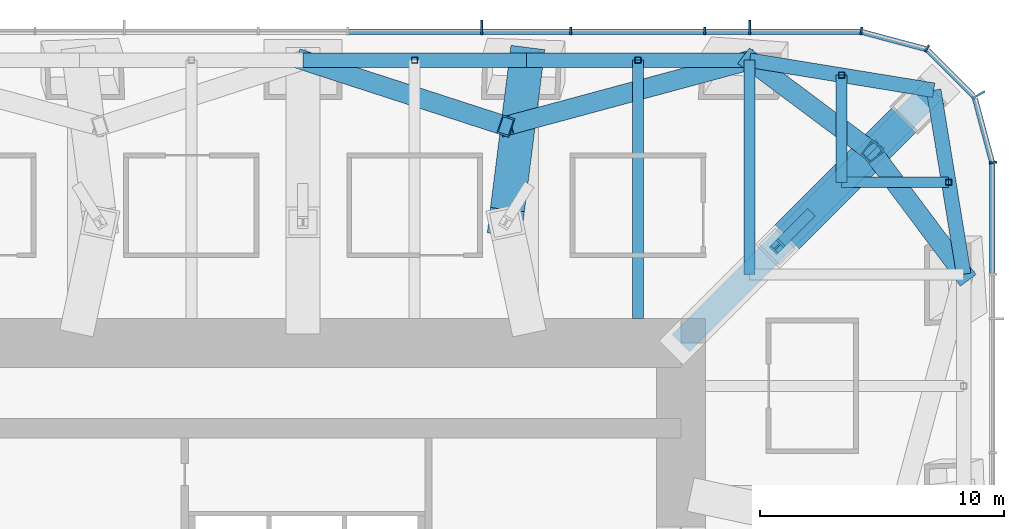
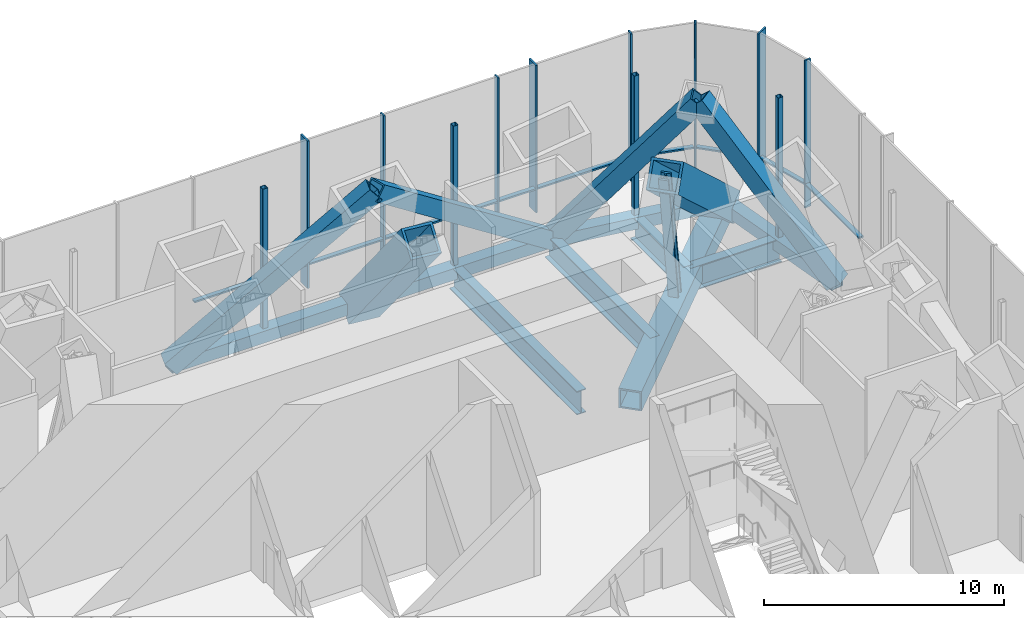
# One storey, part 9 of 16: 33 members, 4 beams, 3 elements without a shape of their own.
"""IFC4 building model written with IfcOpenShell, lengths in metres."""

from ifc_helpers import new_model, si_unit, direction, frame, origin, origin_2d, place, context, subcontext, project, spatial, rectangle, hollow_rectangle, i_section, extrude, material, material_profile, profile_set, type_object, element, aggregate, save


model = new_model("IFC4")

# Units and contexts
model_context = context("Model", 3, precision=1e-05, world=origin(), true_north=direction((0.0, 1.0)))
body_context = subcontext(model_context, "Body", "Model", "MODEL_VIEW")
ifc_project = project(units=[si_unit("LENGTHUNIT", "METRE"), si_unit("AREAUNIT", "SQUARE_METRE"), si_unit("VOLUMEUNIT", "CUBIC_METRE"), si_unit("PLANEANGLEUNIT", "RADIAN"), si_unit("MASSUNIT", "GRAM", prefix="KILO")], contexts=[model_context])

# Site, building, storey
site_placement = place(None, origin())
site = spatial("IfcSite", under=ifc_project, at=site_placement, CompositionType="ELEMENT")
building_placement = place(site_placement, origin())
building = spatial("IfcBuilding", under=site, at=building_placement, Name="Khuree Lantern Residences", CompositionType="ELEMENT")
storey_placement = place(building_placement, frame((0.0, 0.0, 192.0)))
storey = spatial("IfcBuildingStorey", under=building, at=storey_placement, Name="L48", CompositionType="ELEMENT", Elevation=192.0)

# Beams
ifc_material_1 = material(Name="Steel S355", Category="steel")
ifc_material_profile_1 = material_profile(ifc_material_1, i_section(OverallWidth=0.449951171875, OverallDepth=1.199951171875, WebThickness=0.02490234375, FlangeThickness=0.044921875, at=origin_2d()), Name="WELDED I 1200X450X25X45")
ifc_profile_set_1 = profile_set([ifc_material_profile_1], Name="Steel S355")
beam_type_1 = type_object("IfcBeamType", Name="B-48 SECONDARY BEAM WELDED I 1200X450X25X45", PredefinedType="BEAM", material=ifc_profile_set_1)
beam_1_placement = place(storey_placement, frame((13.739990234375, 27.10009765625, -0.949951171875), z_axis=(0.0, -1.0, 0.0), x_axis=(1.0, 0.0, 0.0)))
element("IfcBeam", 1, at=beam_1_placement, inside=storey, type_object=beam_type_1, Name="Secondary beam N4", PredefinedType="BEAM", context=body_context, shape_type="SweptSolid", body=[
    extrude(i_section(OverallWidth=0.449951171875, OverallDepth=1.199951171875, WebThickness=0.02490234375, FlangeThickness=0.044921875, at=origin_2d()), origin(), (0.0, 0.0, 1.0), 10.60009765625),
])
for number, where, z_axis, x_axis, name in (
    (2, (22.094970703125, 26.48486328125, -0.949951171875), (0.0, -1.0, 0.0), (1.0, 0.0, 0.0), "Secondary beam N5"),
    (3, (26.48486328125, 22.094970703125, -0.949951171875), (-1.0, 0.0, 0.0), (0.0, -1.0, 0.0), "Secondary beam E1"),
):
    element("IfcBeam", number, at=place(storey_placement, frame(where, z_axis=z_axis, x_axis=x_axis)), inside=storey, type_object=beam_type_1, Name=name, PredefinedType="BEAM", context=body_context, shape_type="SweptSolid", body=[
        extrude(i_section(OverallWidth=0.449951171875, OverallDepth=1.199951171875, WebThickness=0.02490234375, FlangeThickness=0.044921875, at=origin_2d()), origin(), (0.0, 0.0, 1.0), 4.389892578125),
    ])

# Members
ifc_material_profile_2 = material_profile(ifc_material_1, hollow_rectangle(XDim=0.800048828125, YDim=0.800048828125, WallThickness=0.070068359375, at=origin_2d()), Name="WELDED BOX 800X800X70")
ifc_profile_set_2 = profile_set([ifc_material_profile_2], Name="Steel S355")
member_type_1 = type_object("IfcMemberType", Name="BD-48 BELT TRUSS DIAGONAL WELDED BOX 800X800X70", PredefinedType="BRACE", material=ifc_profile_set_2)
member_1_placement = place(storey_placement, frame((0.0, 27.10009765625, -0.64990234375), z_axis=(0.718015094379, -0.233024646962, 0.655861142432), x_axis=(0.308690344156, 0.951162589374, 0.0)))
element("IfcMember", 4, at=member_1_placement, inside=storey, type_object=member_type_1, Name="Belt truss diagonal N3", PredefinedType="BRACE", context=body_context, shape_type="SweptSolid", body=[
    extrude(hollow_rectangle(XDim=0.800048828125, YDim=0.800048828125, WallThickness=0.070068359375, at=origin_2d()), origin(), (0.0, 0.0, 1.0), 11.587646484375),
])
member_2_placement = place(storey_placement, frame((8.320068359375, 24.39990234375, 6.949951171875), z_axis=(0.778383779751, 0.210178823341, -0.591560270505), x_axis=(-0.260683426993, 0.965424337217, 0.0)))
element("IfcMember", 5, at=member_2_placement, inside=storey, type_object=member_type_1, Name="Belt truss diagonal N4", PredefinedType="BRACE", context=body_context, shape_type="SweptSolid", body=[
    extrude(hollow_rectangle(XDim=0.800048828125, YDim=0.800048828125, WallThickness=0.070068359375, at=origin_2d()), origin(), (0.0, 0.0, 1.0), 12.84716796875),
])
for number, where, z_axis, x_axis, name in (
    (6, (18.320068359375, 27.10009765625, -0.64990234375), (0.509986139158, -0.380984544473, 0.771210032832), (0.598485782825, 0.801133426938, 0.0), "Belt truss diagonal N5"),
    (7, (23.345703125, 23.345703125, 6.949951171875), (0.380984544473, -0.509986139158, -0.771210032832), (0.801133426938, 0.598485782825, 0.0), "Belt truss diagonal E1"),
):
    element("IfcMember", number, at=place(storey_placement, frame(where, z_axis=z_axis, x_axis=x_axis)), inside=storey, type_object=member_type_1, Name=name, PredefinedType="BRACE", context=body_context, shape_type="SweptSolid", body=[
        extrude(hollow_rectangle(XDim=0.800048828125, YDim=0.800048828125, WallThickness=0.070068359375, at=origin_2d()), origin(), (0.0, 0.0, 1.0), 9.8544921875),
    ])
ifc_material_profile_3 = material_profile(ifc_material_1, hollow_rectangle(XDim=0.60009765625, YDim=0.60009765625, WallThickness=0.050048828125, at=origin_2d()), Name="WELDED BOX 600X600X50")
ifc_profile_set_3 = profile_set([ifc_material_profile_3], Name="Steel S355")
member_type_2 = type_object("IfcMemberType", Name="BT-48 BELT TRUSS CHORD WELDED BOX 600X600X50", PredefinedType="CHORD", material=ifc_profile_set_3)
member_3_placement = place(storey_placement, frame((0.0, 27.10009765625, -0.64990234375), z_axis=(1.0, 0.0, 0.0), x_axis=(0.0, 1.0, 0.0)))
element("IfcMember", 8, at=member_3_placement, inside=storey, type_object=member_type_2, Name="Belt truss chord N3", PredefinedType="CHORD", context=body_context, shape_type="SweptSolid", body=[
    extrude(hollow_rectangle(XDim=0.60009765625, YDim=0.60009765625, WallThickness=0.050048828125, at=origin_2d()), origin(), (0.0, 0.0, 1.0), 9.159912109375),
])
member_4_placement = place(storey_placement, frame((9.159912109375, 27.10009765625, -0.64990234375), z_axis=(1.0, 0.0, 0.0), x_axis=(0.0, 1.0, 0.0)))
element("IfcMember", 9, at=member_4_placement, inside=storey, type_object=member_type_2, Name="Belt truss chord N4", PredefinedType="CHORD", context=body_context, shape_type="SweptSolid", body=[
    extrude(hollow_rectangle(XDim=0.60009765625, YDim=0.60009765625, WallThickness=0.050048828125, at=origin_2d()), origin(), (0.0, 0.0, 1.0), 9.16015625),
])
for number, where, z_axis, x_axis, name in (
    (10, (18.320068359375, 27.10009765625, -0.64990234375), (0.986982656839, -0.160826723833, 0.0), (0.160826723833, 0.986982656839, 0.0), "Belt truss chord N5"),
    (11, (25.869873046875, 25.869873046875, -0.64990234375), (0.160826723833, -0.986982656839, 0.0), (0.986982656839, 0.160826723833, 0.0), "Belt truss chord E1"),
):
    element("IfcMember", number, at=place(storey_placement, frame(where, z_axis=z_axis, x_axis=x_axis)), inside=storey, type_object=member_type_2, Name=name, PredefinedType="CHORD", context=body_context, shape_type="SweptSolid", body=[
        extrude(hollow_rectangle(XDim=0.60009765625, YDim=0.60009765625, WallThickness=0.050048828125, at=origin_2d()), origin(), (0.0, 0.0, 1.0), 7.6494140625),
    ])

# Curtain wall, member
ifc_material_2 = material(Name="Bronze anodised aluminium", Category="aluminium")
curtain_wall_type = type_object("IfcCurtainWallType", Name="CW-G PLANT STOREY LOUVRED CURTAIN WALL", PredefinedType="USERDEFINED", material=ifc_material_2)
curtain_wall_1_placement = place(storey_placement, origin())
curtain_wall_1 = element("IfcCurtainWall", 12, at=curtain_wall_1_placement, inside=storey, type_object=curtain_wall_type, Name="L48 NORTH-EAST CORNER CURTAIN WALL", ObjectType="Louvred curtain wall", PredefinedType="USERDEFINED")
ifc_material_profile_4 = material_profile(ifc_material_2, rectangle(XDim=0.080078125, YDim=0.60009765625, at=origin_2d()), Name="F2 80X600")
ifc_profile_set_4 = profile_set([ifc_material_profile_4], Name="Bronze anodised aluminium")
member_type_3 = type_object("IfcMemberType", Name="F2 BRONZE FIN MULLION PLANT 80X600", PredefinedType="MULLION", material=ifc_profile_set_4)
member_5_placement = place(storey_placement, frame((27.70654296875, 25.675048828125, 0.0), z_axis=(0.0, 0.0, 1.0), x_axis=(-0.500000026995, 0.866025388199, 0.0)))
member_5 = element("IfcMember", 13, at=member_5_placement, type_object=member_type_3, Name="L48 NORTH-EAST CORNER FIN MULLION 16", PredefinedType="MULLION", context=body_context, shape_type="SweptSolid", body=[
    extrude(rectangle(XDim=0.080078125, YDim=0.60009765625, at=origin_2d()), origin(), (0.0, 0.0, 1.0), 7.5),
])

# Curtain wall, members
curtain_wall_2_placement = place(storey_placement, origin())
curtain_wall_2 = element("IfcCurtainWall", 14, at=curtain_wall_2_placement, inside=storey, type_object=curtain_wall_type, Name="L48 NORTH FACE CURTAIN WALL", ObjectType="Louvred curtain wall", PredefinedType="USERDEFINED")
member_6_placement = place(storey_placement, frame((18.320068359375, 28.449951171875, 0.0), z_axis=(0.0, 0.0, 1.0), x_axis=(-1.0, 0.0, 0.0)))
member_6 = element("IfcMember", 15, at=member_6_placement, type_object=member_type_3, Name="L48 NORTH FACE FIN MULLION 19", PredefinedType="MULLION", context=body_context, shape_type="SweptSolid", body=[
    extrude(rectangle(XDim=0.080078125, YDim=0.60009765625, at=origin_2d()), origin(), (0.0, 0.0, 1.0), 7.5),
])
member_7_placement = place(storey_placement, frame((7.327880859375, 28.449951171875, 0.0), z_axis=(0.0, 0.0, 1.0), x_axis=(-1.0, 0.0, 0.0)))
member_7 = element("IfcMember", 16, at=member_7_placement, type_object=member_type_3, Name="L48 NORTH FACE FIN MULLION 22", PredefinedType="MULLION", context=body_context, shape_type="SweptSolid", body=[
    extrude(rectangle(XDim=0.080078125, YDim=0.60009765625, at=origin_2d()), origin(), (0.0, 0.0, 1.0), 7.5),
])

# Beam
ifc_material_profile_5 = material_profile(ifc_material_1, i_section(OverallWidth=0.449951171875, OverallDepth=1.199951171875, WebThickness=0.02490234375, FlangeThickness=0.044921875, at=origin_2d()), Name="WELDED I 1200X450X25X45")
ifc_profile_set_5 = profile_set([ifc_material_profile_5], Name="Steel S355")
beam_type_2 = type_object("IfcBeamType", Name="G-48 GIRDER WELDED I 1200X450X25X45", PredefinedType="BEAM", material=ifc_profile_set_5)
beam_2_placement = place(storey_placement, frame((18.320068359375, 27.10009765625, -0.949951171875), z_axis=(0.0, -1.0, 0.0), x_axis=(1.0, 0.0, 0.0)))
element("IfcBeam", 17, at=beam_2_placement, inside=storey, type_object=beam_type_2, Name="Girder N5", PredefinedType="BEAM", context=body_context, shape_type="SweptSolid", body=[
    extrude(i_section(OverallWidth=0.449951171875, OverallDepth=1.199951171875, WebThickness=0.02490234375, FlangeThickness=0.044921875, at=origin_2d()), origin(), (0.0, 0.0, 1.0), 8.780029296875),
])

# Member
ifc_material_profile_6 = material_profile(ifc_material_2, rectangle(XDim=0.080078125, YDim=0.300048828125, at=origin_2d()), Name="M2 80X300")
ifc_profile_set_6 = profile_set([ifc_material_profile_6], Name="Bronze anodised aluminium")
member_type_4 = type_object("IfcMemberType", Name="MULLION M2 PLANT 80X300", PredefinedType="MULLION", material=ifc_profile_set_6)
member_8_placement = place(storey_placement, frame((28.30126953125, 22.900146484375, 0.0), z_axis=(0.0, 0.0, 1.0), x_axis=(-0.130526223125, 0.991444857305, 0.0)))
member_8 = element("IfcMember", 18, at=member_8_placement, type_object=member_type_4, Name="L48 NORTH-EAST CORNER MULLION 15", PredefinedType="MULLION", context=body_context, shape_type="SweptSolid", body=[
    extrude(rectangle(XDim=0.080078125, YDim=0.300048828125, at=origin_2d()), origin(), (0.0, 0.0, 1.0), 7.5),
])

member_9_placement = place(storey_placement, frame((25.60009765625, 27.576416015625, 0.0), z_axis=(0.0, 0.0, 1.0), x_axis=(-0.866025388199, 0.500000026995, 0.0)))
member_9 = element("IfcMember", 19, at=member_9_placement, type_object=member_type_4, Name="L48 NORTH-EAST CORNER MULLION 17", PredefinedType="MULLION", context=body_context, shape_type="SweptSolid", body=[
    extrude(rectangle(XDim=0.080078125, YDim=0.300048828125, at=origin_2d()), origin(), (0.0, 0.0, 1.0), 7.5),
])

member_10_placement = place(storey_placement, frame((22.900146484375, 28.30126953125, 0.0), z_axis=(0.0, 0.0, 1.0), x_axis=(-0.991444857305, 0.130526223125, 0.0)))
member_10 = element("IfcMember", 20, at=member_10_placement, type_object=member_type_4, Name="L48 NORTH FACE MULLION 18", PredefinedType="MULLION", context=body_context, shape_type="SweptSolid", body=[
    extrude(rectangle(XDim=0.080078125, YDim=0.300048828125, at=origin_2d()), origin(), (0.0, 0.0, 1.0), 7.5),
])

member_11_placement = place(storey_placement, frame((16.488037109375, 28.300048828125, 0.0), z_axis=(0.0, 0.0, 1.0), x_axis=(-1.0, 0.0, 0.0)))
member_11 = element("IfcMember", 21, at=member_11_placement, type_object=member_type_4, Name="L48 NORTH FACE MULLION 20", PredefinedType="MULLION", context=body_context, shape_type="SweptSolid", body=[
    extrude(rectangle(XDim=0.080078125, YDim=0.300048828125, at=origin_2d()), origin(), (0.0, 0.0, 1.0), 7.5),
])

member_12_placement = place(storey_placement, frame((10.991943359375, 28.300048828125, 0.0), z_axis=(0.0, 0.0, 1.0), x_axis=(-1.0, 0.0, 0.0)))
member_12 = element("IfcMember", 22, at=member_12_placement, type_object=member_type_4, Name="L48 NORTH FACE MULLION 21", PredefinedType="MULLION", context=body_context, shape_type="SweptSolid", body=[
    extrude(rectangle(XDim=0.080078125, YDim=0.300048828125, at=origin_2d()), origin(), (0.0, 0.0, 1.0), 7.5),
])

# Members
ifc_material_profile_7 = material_profile(ifc_material_1, hollow_rectangle(XDim=1.39990234375, YDim=1.39990234375, WallThickness=0.1201171875, at=origin_2d()), Name="WELDED BOX 1400X1400X120")
ifc_profile_set_7 = profile_set([ifc_material_profile_7], Name="Steel S355")
member_type_5 = type_object("IfcMemberType", Name="OD-48 OUTRIGGER TRUSS DIAGONAL WELDED BOX 1400X1400X120", PredefinedType="BRACE", material=ifc_profile_set_7)
member_13_placement = place(storey_placement, frame((19.4560546875, 19.4560546875, 6.75), z_axis=(0.541997649292, 0.541997649292, -0.642243798198), x_axis=(-0.707106781187, 0.707106781187, 0.0)))
element("IfcMember", 23, at=member_13_placement, inside=storey, type_object=member_type_5, Name="Outrigger diagonal NE column side", PredefinedType="BRACE", context=body_context, shape_type="SweptSolid", body=[
    extrude(hollow_rectangle(XDim=1.39990234375, YDim=1.39990234375, WallThickness=0.1201171875, at=origin_2d()), origin(), (0.0, 0.0, 1.0), 11.833740234375),
])
member_14_placement = place(storey_placement, frame((8.320068359375, 20.449951171875, 6.75), z_axis=(0.082876562959, 0.656242644896, -0.749984710732), x_axis=(-0.992119618756, 0.125294301866, 0.0)))
element("IfcMember", 24, at=member_14_placement, inside=storey, type_object=member_type_5, Name="Outrigger diagonal N4 column side", PredefinedType="BRACE", context=body_context, shape_type="SweptSolid", body=[
    extrude(hollow_rectangle(XDim=1.39990234375, YDim=1.39990234375, WallThickness=0.1201171875, at=origin_2d()), origin(), (0.0, 0.0, 1.0), 10.1337890625),
])
ifc_material_profile_8 = material_profile(ifc_material_1, i_section(OverallWidth=0.431884765625, OverallDepth=0.498046875, WebThickness=0.0556640625, FlangeThickness=0.0888671875, FilletRadius=0.014892578125, at=origin_2d()), Name="HD 400X744")
ifc_profile_set_8 = profile_set([ifc_material_profile_8], Name="Steel S355")
member_type_6 = type_object("IfcMemberType", Name="OP-48 OUTRIGGER TRUSS POST HD 400X744", PredefinedType="POST", material=ifc_profile_set_8)
member_15_placement = place(storey_placement, frame((20.684814453125, 20.684814453125, -0.85009765625), z_axis=(-0.15760950286, -0.15760950286, 0.97484280231), x_axis=(0.707106781187, -0.707106781187, 0.0)))
element("IfcMember", 25, at=member_15_placement, inside=storey, type_object=member_type_6, Name="Outrigger post NE", PredefinedType="POST", context=body_context, shape_type="SweptSolid", body=[
    extrude(i_section(OverallWidth=0.431884765625, OverallDepth=0.498046875, WebThickness=0.0556640625, FlangeThickness=0.0888671875, FilletRadius=0.014892578125, at=origin_2d()), origin(), (0.0, 0.0, 1.0), 7.796142578125),
])
ifc_material_profile_9 = material_profile(ifc_material_1, hollow_rectangle(XDim=1.0, YDim=1.0, WallThickness=0.080078125, at=origin_2d()), Name="WELDED BOX 1000X1000X80")
ifc_profile_set_9 = profile_set([ifc_material_profile_9], Name="Steel S355")
member_type_7 = type_object("IfcMemberType", Name="OT-48 OUTRIGGER TRUSS CHORD WELDED BOX 1000X1000X80", PredefinedType="CHORD", material=ifc_profile_set_9)
member_16_placement = place(storey_placement, frame((25.869873046875, 25.869873046875, -0.85009765625), z_axis=(-0.707106781187, -0.707106781187, 0.0), x_axis=(0.707106781187, -0.707106781187, 0.0)))
element("IfcMember", 26, at=member_16_placement, inside=storey, type_object=member_type_7, Name="Outrigger chord NE", PredefinedType="CHORD", context=body_context, shape_type="SweptSolid", body=[
    extrude(hollow_rectangle(XDim=1.0, YDim=1.0, WallThickness=0.080078125, at=origin_2d()), origin(), (0.0, 0.0, 1.0), 14.665283203125),
])
ifc_material_profile_10 = material_profile(ifc_material_1, hollow_rectangle(XDim=0.25, YDim=0.25, WallThickness=0.012451171875, InnerFilletRadius=0.012451171875, OuterFilletRadius=0.018798828125, at=origin_2d()), Name="SHS 250X250X12.5")
ifc_profile_set_10 = profile_set([ifc_material_profile_10], Name="Steel S355")
member_type_8 = type_object("IfcMemberType", Name="TP1 TERRACE POST SHS 250X250X12.5", PredefinedType="POST", material=ifc_profile_set_10)
for number, where, z_axis, x_axis, name in (
    (27, (4.580078125, 27.10009765625, -0.35009765625), (0.0, 0.0, 1.0), (1.0, 0.0, 0.0), "Terrace post N3"),
    (28, (13.739990234375, 27.10009765625, -0.35009765625), (0.0, 0.0, 1.0), (1.0, 0.0, 0.0), "Terrace post N4"),
    (29, (22.094970703125, 26.48486328125, -0.35009765625), (0.0, 0.0, 1.0), (1.0, 0.0, 0.0), "Terrace post N5"),
    (30, (26.48486328125, 22.094970703125, -0.35009765625), (0.0, 0.0, 1.0), (1.0, 0.0, 0.0), "Terrace post E1"),
):
    element("IfcMember", number, at=place(storey_placement, frame(where, z_axis=z_axis, x_axis=x_axis)), inside=storey, type_object=member_type_8, Name=name, PredefinedType="POST", context=body_context, shape_type="SweptSolid", body=[
        extrude(hollow_rectangle(XDim=0.25, YDim=0.25, WallThickness=0.012451171875, InnerFilletRadius=0.012451171875, OuterFilletRadius=0.018798828125, at=origin_2d()), origin(), (0.0, 0.0, 1.0), 7.10009765625),
    ])

# Curtain wall, member
curtain_wall_3_placement = place(storey_placement, origin())
curtain_wall_3 = element("IfcCurtainWall", 31, at=curtain_wall_3_placement, inside=storey, type_object=curtain_wall_type, Name="L48 EAST FACE CURTAIN WALL", ObjectType="Louvred curtain wall", PredefinedType="USERDEFINED")
ifc_material_profile_11 = material_profile(ifc_material_2, rectangle(XDim=0.219970703125, YDim=0.080078125, at=origin_2d()), Name="T2 220X80")
ifc_profile_set_11 = profile_set([ifc_material_profile_11], Name="Bronze anodised aluminium")
member_type_9 = type_object("IfcMemberType", Name="TRANSOM T2 PLANT 220X80", PredefinedType="USERDEFINED", material=ifc_profile_set_11)
member_17_placement = place(storey_placement, frame((28.27001953125, 18.360107421875, 1.199951171875), z_axis=(0.0, 1.0, 0.0), x_axis=(-1.0, 0.0, 0.0)))
member_17 = element("IfcMember", 32, at=member_17_placement, type_object=member_type_9, Name="L48 EAST FACE TRANSOM 14.1", ObjectType="Transom", PredefinedType="USERDEFINED", context=body_context, shape_type="SweptSolid", body=[
    extrude(rectangle(XDim=0.219970703125, YDim=0.080078125, at=origin_2d()), origin(), (0.0, 0.0, 1.0), 4.481201171875),
])
aggregate(curtain_wall_3, [member_17])

# Member
member_18_placement = place(storey_placement, frame((28.255859375, 22.948974609375, 1.199951171875), z_axis=(-0.258833993596, 0.965921820728, 0.0), x_axis=(-0.965921820728, -0.258833993596, 0.0)))
member_18 = element("IfcMember", 33, at=member_18_placement, type_object=member_type_9, Name="L48 NORTH-EAST CORNER TRANSOM 15.1", ObjectType="Transom", PredefinedType="USERDEFINED", context=body_context, shape_type="SweptSolid", body=[
    extrude(rectangle(XDim=0.219970703125, YDim=0.080078125, at=origin_2d()), origin(), (0.0, 0.0, 1.0), 2.658935546875),
])

member_19_placement = place(storey_placement, frame((27.50048828125, 25.633544921875, 1.199951171875), z_axis=(-0.707106781187, 0.707106781187, 0.0), x_axis=(-0.707106781187, -0.707106781187, 0.0)))
member_19 = element("IfcMember", 34, at=member_19_placement, type_object=member_type_9, Name="L48 NORTH-EAST CORNER TRANSOM 16.1", ObjectType="Transom", PredefinedType="USERDEFINED", context=body_context, shape_type="SweptSolid", body=[
    extrude(rectangle(XDim=0.219970703125, YDim=0.080078125, at=origin_2d()), origin(), (0.0, 0.0, 1.0), 2.64013671875),
])

member_20_placement = place(storey_placement, frame((25.517333984375, 27.567626953125, 1.199951171875), z_axis=(-0.965921820728, 0.258833993596, 0.0), x_axis=(-0.258833993596, -0.965921820728, 0.0)))
member_20 = element("IfcMember", 35, at=member_20_placement, type_object=member_type_9, Name="L48 NORTH-EAST CORNER TRANSOM 17.1", ObjectType="Transom", PredefinedType="USERDEFINED", context=body_context, shape_type="SweptSolid", body=[
    extrude(rectangle(XDim=0.219970703125, YDim=0.080078125, at=origin_2d()), origin(), (0.0, 0.0, 1.0), 2.658935546875),
])

aggregate(curtain_wall_1, [member_8, member_5, member_9, member_18, member_19, member_20])

member_21_placement = place(storey_placement, frame((22.84130859375, 28.27001953125, 1.199951171875), z_axis=(-1.0, 0.0, 0.0), x_axis=(0.0, -1.0, 0.0)))
member_21 = element("IfcMember", 36, at=member_21_placement, type_object=member_type_9, Name="L48 NORTH FACE TRANSOM 18.1", ObjectType="Transom", PredefinedType="USERDEFINED", context=body_context, shape_type="SweptSolid", body=[
    extrude(rectangle(XDim=0.219970703125, YDim=0.080078125, at=origin_2d()), origin(), (0.0, 0.0, 1.0), 4.481201171875),
])

member_22_placement = place(storey_placement, frame((18.280029296875, 28.27001953125, 1.199951171875), z_axis=(-1.0, 0.0, 0.0), x_axis=(0.0, -1.0, 0.0)))
member_22 = element("IfcMember", 37, at=member_22_placement, type_object=member_type_9, Name="L48 NORTH FACE TRANSOM 19.1", ObjectType="Transom", PredefinedType="USERDEFINED", context=body_context, shape_type="SweptSolid", body=[
    extrude(rectangle(XDim=0.219970703125, YDim=0.080078125, at=origin_2d()), origin(), (0.0, 0.0, 1.0), 1.751953125),
])

member_23_placement = place(storey_placement, frame((16.447998046875, 28.27001953125, 1.199951171875), z_axis=(-1.0, 0.0, 0.0), x_axis=(0.0, -1.0, 0.0)))
member_23 = element("IfcMember", 38, at=member_23_placement, type_object=member_type_9, Name="L48 NORTH FACE TRANSOM 20.1", ObjectType="Transom", PredefinedType="USERDEFINED", context=body_context, shape_type="SweptSolid", body=[
    extrude(rectangle(XDim=0.219970703125, YDim=0.080078125, at=origin_2d()), origin(), (0.0, 0.0, 1.0), 5.416015625),
])

member_24_placement = place(storey_placement, frame((10.951904296875, 28.27001953125, 1.199951171875), z_axis=(-1.0, 0.0, 0.0), x_axis=(0.0, -1.0, 0.0)))
member_24 = element("IfcMember", 39, at=member_24_placement, type_object=member_type_9, Name="L48 NORTH FACE TRANSOM 21.1", ObjectType="Transom", PredefinedType="USERDEFINED", context=body_context, shape_type="SweptSolid", body=[
    extrude(rectangle(XDim=0.219970703125, YDim=0.080078125, at=origin_2d()), origin(), (0.0, 0.0, 1.0), 3.583984375),
])

member_25_placement = place(storey_placement, frame((7.2880859375, 28.27001953125, 1.199951171875), z_axis=(-1.0, 0.0, 0.0), x_axis=(0.0, -1.0, 0.0)))
member_25 = element("IfcMember", 40, at=member_25_placement, type_object=member_type_9, Name="L48 NORTH FACE TRANSOM 22.1", ObjectType="Transom", PredefinedType="USERDEFINED", context=body_context, shape_type="SweptSolid", body=[
    extrude(rectangle(XDim=0.219970703125, YDim=0.080078125, at=origin_2d()), origin(), (0.0, 0.0, 1.0), 5.416015625),
])

aggregate(curtain_wall_2, [member_10, member_6, member_11, member_12, member_7, member_21, member_22, member_23, member_24, member_25])

save(model, "model.ifc")
